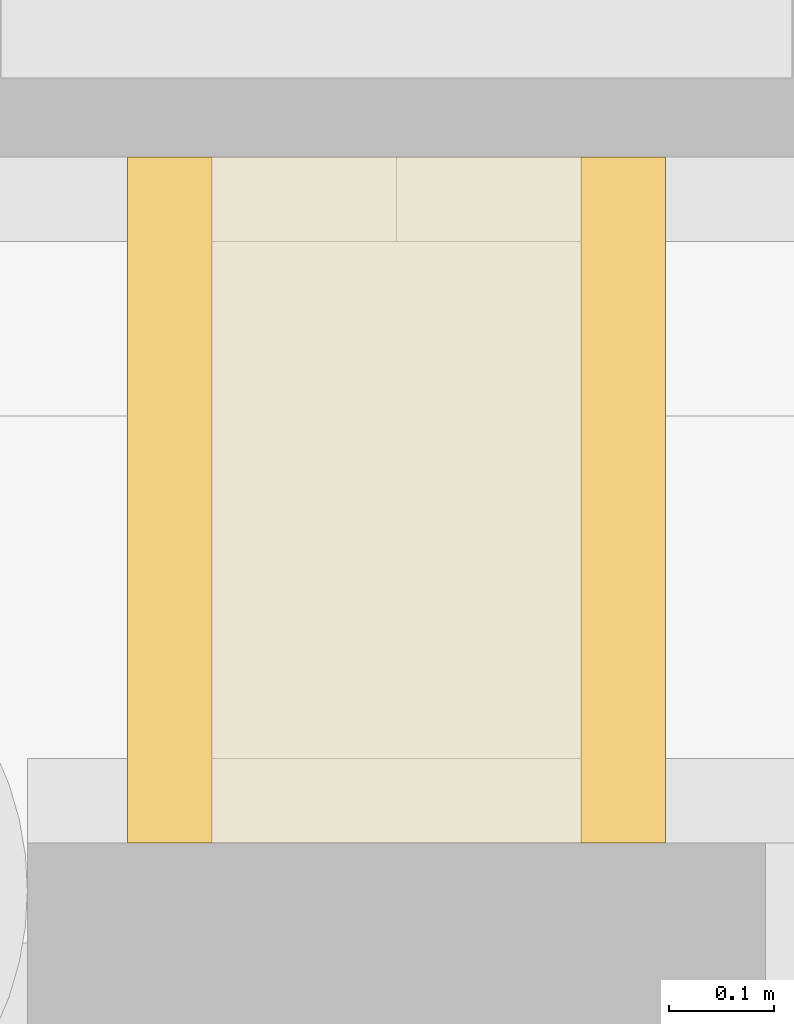
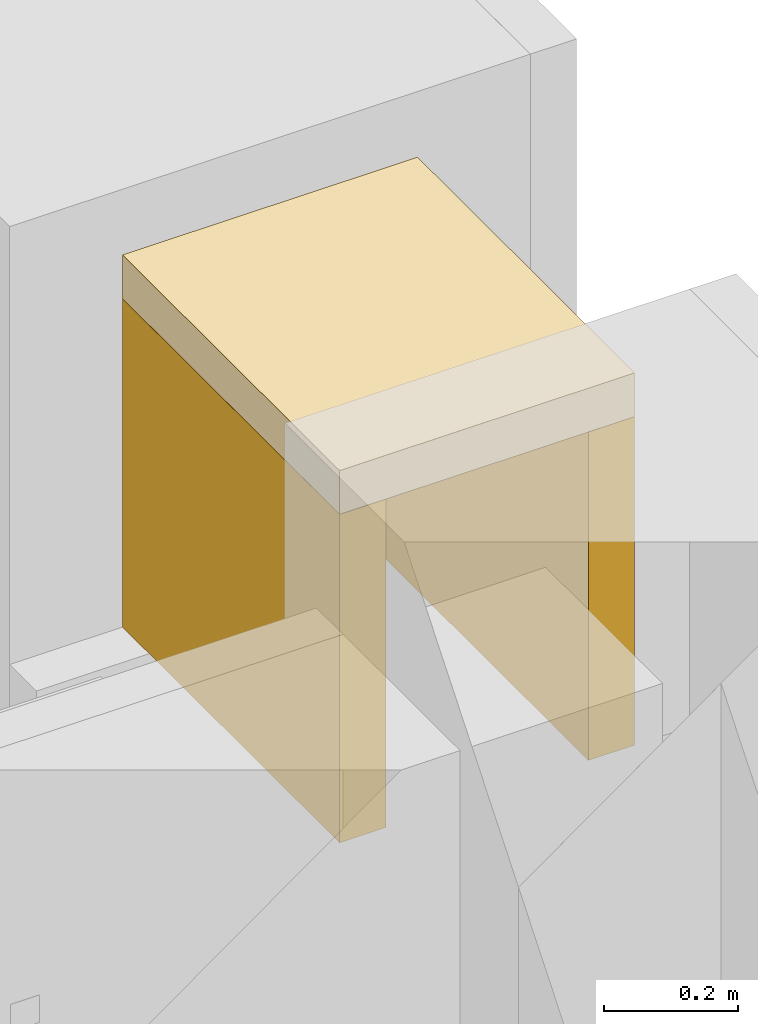
# One storey, part 111 of 112: 3 coverings.
"""IFC4 building model written with IfcOpenShell, lengths in metres."""

from ifc_helpers import new_model, si_unit, direction, frame, origin, place, context, subcontext, project, spatial, polyline, outline, extrude, material, layer, layer_set, type_object, element, save


model = new_model("IFC4")

# Units and contexts
model_context = context("Model", 3, precision=1e-05, world=origin(), true_north=direction((0.0, 1.0)))
body_context = subcontext(model_context, "Body", "Model", "MODEL_VIEW")
ifc_project = project(units=[si_unit("LENGTHUNIT", "METRE"), si_unit("AREAUNIT", "SQUARE_METRE"), si_unit("VOLUMEUNIT", "CUBIC_METRE"), si_unit("PLANEANGLEUNIT", "RADIAN"), si_unit("MASSUNIT", "GRAM", prefix="KILO")], contexts=[model_context])

# Site, building, storey
site_placement = place(None, origin())
site = spatial("IfcSite", under=ifc_project, at=site_placement, CompositionType="ELEMENT")
building_placement = place(site_placement, origin())
building = spatial("IfcBuilding", under=site, at=building_placement, Name="Wasatch Bagh Community Centre", CompositionType="ELEMENT")
storey_placement = place(building_placement, origin())
storey = spatial("IfcBuildingStorey", under=building, at=storey_placement, Name="L00", CompositionType="ELEMENT", Elevation=0.0)

# Coverings
ifc_material = material(Name="Cast stone cladding", Category="masonry")
ifc_layer = layer(ifc_material, 0.080078125)
ifc_layer_set = layer_set([ifc_layer], Name="Cast stone cladding")
covering_type = type_object("IfcCoveringType", Name="CL-B7 beam facing", PredefinedType="CLADDING", material=ifc_layer_set)
covering_1_placement = place(storey_placement, frame((0.0, 0.0, 3.39990234375)))
element("IfcCovering", 1, at=covering_1_placement, inside=storey, type_object=covering_type, Name="Beam facing", PredefinedType="CLADDING", context=body_context, shape_type="SweptSolid", body=[
    extrude(outline(polyline([(139.425048828125, 98.14990234375), (139.425048828125, 98.800048828125), (139.344970703125, 98.800048828125), (139.344970703125, 98.14990234375), (139.425048828125, 98.14990234375)])), origin(), (0.0, 0.0, 1.0), 0.60009765625),
])
covering_2_placement = place(storey_placement, frame((0.0, 0.0, 3.39990234375)))
element("IfcCovering", 2, at=covering_2_placement, inside=storey, type_object=covering_type, Name="Beam facing", PredefinedType="CLADDING", context=body_context, shape_type="SweptSolid", body=[
    extrude(outline(polyline([(139.77490234375, 98.14990234375), (139.77490234375, 98.800048828125), (139.85498046875, 98.800048828125), (139.85498046875, 98.14990234375), (139.77490234375, 98.14990234375)])), origin(), (0.0, 0.0, 1.0), 0.60009765625),
])
covering_3_placement = place(storey_placement, frame((0.0, 0.0, 4.0)))
element("IfcCovering", 3, at=covering_3_placement, inside=storey, type_object=covering_type, Name="Beam facing", PredefinedType="CLADDING", context=body_context, shape_type="SweptSolid", body=[
    extrude(outline(polyline([(139.85498046875, 98.14990234375), (139.85498046875, 98.800048828125), (139.344970703125, 98.800048828125), (139.344970703125, 98.14990234375), (139.85498046875, 98.14990234375)])), origin(), (0.0, 0.0, 1.0), 0.080078125),
])

save(model, "model.ifc")
